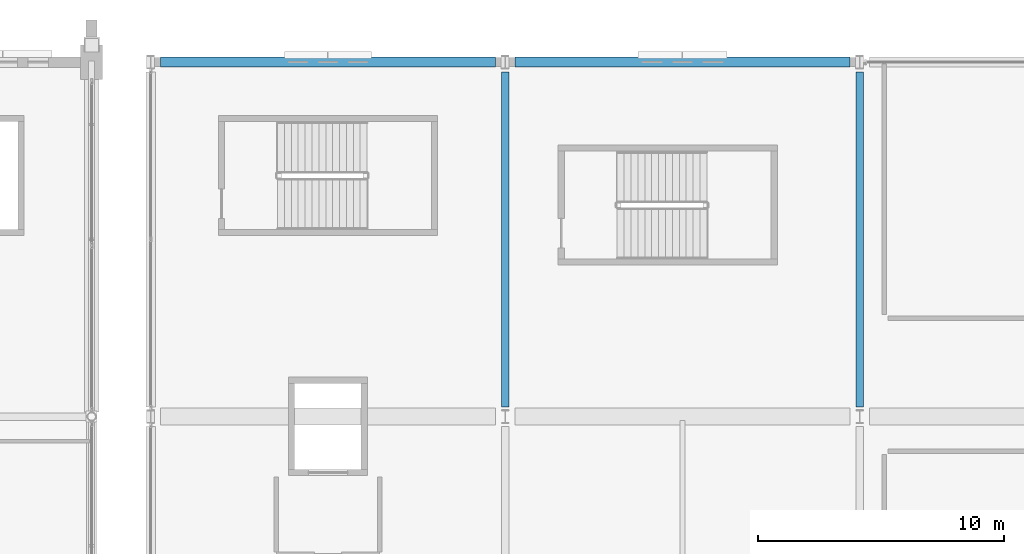
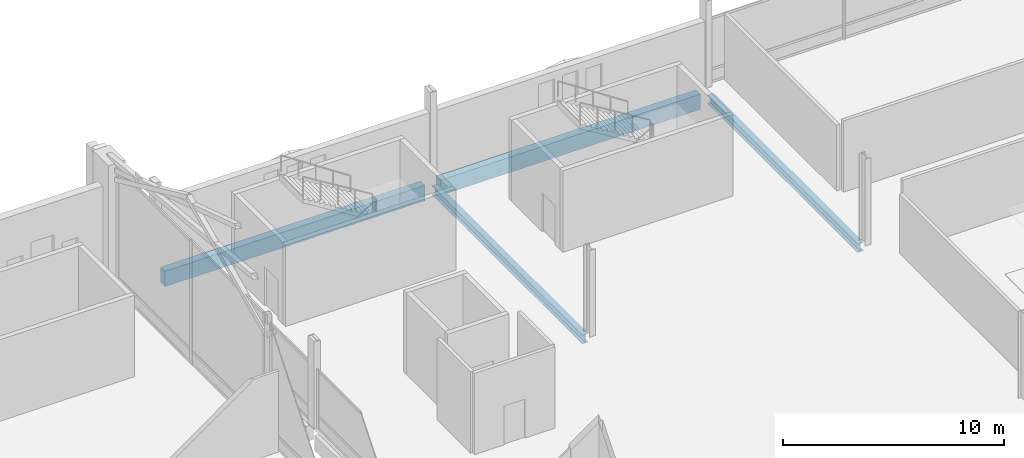
# One storey, part 122 of 220: 4 beams.
"""IFC4 building model written with IfcOpenShell, lengths in metres."""

from ifc_helpers import new_model, si_unit, direction, frame, origin, origin_2d, place, context, subcontext, project, spatial, rectangle, i_section, extrude, material, material_profile, profile_set, type_object, element, save


model = new_model("IFC4")

# Units and contexts
model_context = context("Model", 3, precision=1e-05, world=origin(), true_north=direction((0.0, 1.0)))
body_context = subcontext(model_context, "Body", "Model", "MODEL_VIEW")
ifc_project = project(units=[si_unit("LENGTHUNIT", "METRE"), si_unit("AREAUNIT", "SQUARE_METRE"), si_unit("VOLUMEUNIT", "CUBIC_METRE"), si_unit("PLANEANGLEUNIT", "RADIAN"), si_unit("MASSUNIT", "GRAM", prefix="KILO")], contexts=[model_context])

# Site, building, storey
site_placement = place(None, origin())
site = spatial("IfcSite", under=ifc_project, at=site_placement, CompositionType="ELEMENT")
building_placement = place(site_placement, origin())
building = spatial("IfcBuilding", under=site, at=building_placement, Name="Cendralis Lancet Convention Centre", CompositionType="ELEMENT")
storey_placement = place(building_placement, frame((0.0, 0.0, 5.39990234375)))
storey = spatial("IfcBuildingStorey", under=building, at=storey_placement, Name="L01", CompositionType="ELEMENT", Elevation=5.39990234375)

# Beams
ifc_material_1 = material(Name="Steel S355", Category="steel")
ifc_material_profile_1 = material_profile(ifc_material_1, i_section(OverallWidth=0.300048828125, OverallDepth=0.489990234375, WebThickness=0.011962890625, FlangeThickness=0.02294921875, FilletRadius=0.027099609375, at=origin_2d()), Name="HEA 500")
ifc_profile_set_1 = profile_set([ifc_material_profile_1], Name="Steel S355")
beam_type_1 = type_object("IfcBeamType", Name="STR-BM-SG12", PredefinedType="BEAM", material=ifc_profile_set_1)
for number, where, z_axis, x_axis, name in (
    (1, (139.199951171875, 122.800048828125, -0.52490234375), (0.0, 1.0, 0.0), (-1.0, 0.0, 0.0), "L01 Beam SG12 #1668"),
    (2, (153.60009765625, 122.800048828125, -0.52490234375), (0.0, 1.0, 0.0), (-1.0, 0.0, 0.0), "L01 Beam SG12 #1671"),
):
    element("IfcBeam", number, at=place(storey_placement, frame(where, z_axis=z_axis, x_axis=x_axis)), inside=storey, type_object=beam_type_1, Name=name, PredefinedType="BEAM", context=body_context, shape_type="SweptSolid", body=[
        extrude(i_section(OverallWidth=0.300048828125, OverallDepth=0.489990234375, WebThickness=0.011962890625, FlangeThickness=0.02294921875, FilletRadius=0.027099609375, at=origin_2d()), origin(), (0.0, 0.0, 1.0), 13.599853515625),
    ])
ifc_material_2 = material(Name="Concrete G40 (C40/50)", Category="concrete")
ifc_material_profile_2 = material_profile(ifc_material_2, rectangle(XDim=0.39990234375, YDim=0.85009765625, at=origin_2d()), Name="RCB 400x850")
ifc_profile_set_2 = profile_set([ifc_material_profile_2], Name="Concrete G40 (C40/50)")
beam_type_2 = type_object("IfcBeamType", Name="STR-SP-SP02", PredefinedType="SPANDREL", material=ifc_profile_set_2)
beam_1_placement = place(storey_placement, frame((125.199951171875, 136.800048828125, -0.704833984375), z_axis=(1.0, 0.0, 0.0), x_axis=(0.0, 1.0, 0.0)))
element("IfcBeam", 3, at=beam_1_placement, inside=storey, type_object=beam_type_2, Name="L01 Beam SP02 #1657", PredefinedType="SPANDREL", context=body_context, shape_type="SweptSolid", body=[
    extrude(rectangle(XDim=0.39990234375, YDim=0.85009765625, at=origin_2d()), origin(), (0.0, 0.0, 1.0), 13.60009765625),
])
beam_2_placement = place(storey_placement, frame((139.60009765625, 136.800048828125, -0.704833984375), z_axis=(1.0, 0.0, 0.0), x_axis=(0.0, 1.0, 0.0)))
element("IfcBeam", 4, at=beam_2_placement, inside=storey, type_object=beam_type_2, Name="L01 Beam SP02 #1658", PredefinedType="SPANDREL", context=body_context, shape_type="SweptSolid", body=[
    extrude(rectangle(XDim=0.39990234375, YDim=0.85009765625, at=origin_2d()), origin(), (0.0, 0.0, 1.0), 13.599853515625),
])

save(model, "model.ifc")
